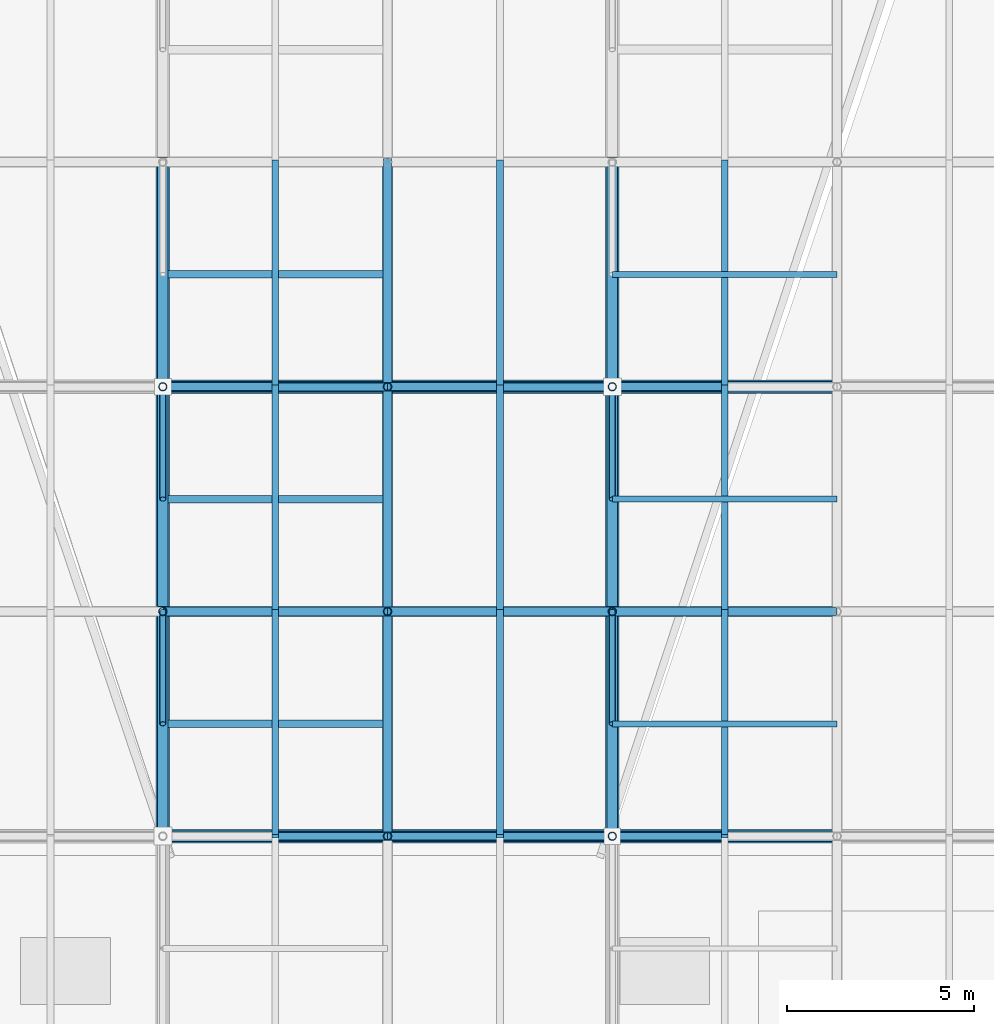
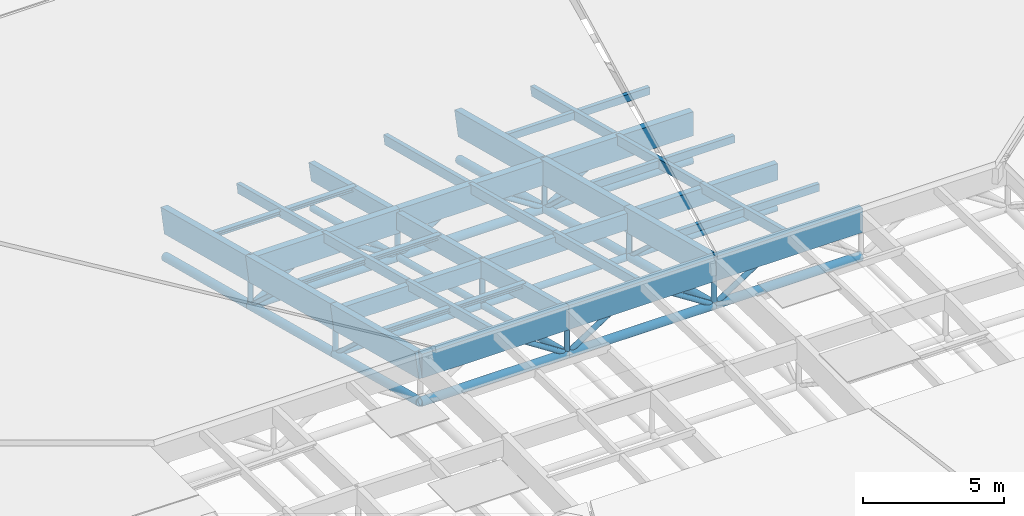
# One storey, part 23 of 80: 72 members.
"""IFC4 building model written with IfcOpenShell, lengths in metres."""

from ifc_helpers import new_model, si_unit, direction, frame, origin, origin_2d, place, context, subcontext, project, spatial, rectangle, hollow_circle, i_section, extrude, material, material_profile, profile_set, type_object, element, save


model = new_model("IFC4")

# Units and contexts
model_context = context("Model", 3, precision=1e-05, world=origin(), true_north=direction((0.0, 1.0)))
body_context = subcontext(model_context, "Body", "Model", "MODEL_VIEW")
ifc_project = project(units=[si_unit("LENGTHUNIT", "METRE"), si_unit("AREAUNIT", "SQUARE_METRE"), si_unit("VOLUMEUNIT", "CUBIC_METRE"), si_unit("PLANEANGLEUNIT", "RADIAN"), si_unit("MASSUNIT", "GRAM", prefix="KILO"), si_unit("THERMODYNAMICTEMPERATUREUNIT", "KELVIN"), si_unit("POWERUNIT", "WATT")], contexts=[model_context])

# Site, building, storey
site_placement = place(None, origin())
site = spatial("IfcSite", under=ifc_project, at=site_placement, CompositionType="ELEMENT")
building_placement = place(site_placement, origin())
building = spatial("IfcBuilding", under=site, at=building_placement, Name="Solmara Park Aquatics Centre", CompositionType="ELEMENT")
storey_placement = place(building_placement, frame((0.0, 0.0, 22.800048828125)))
storey = spatial("IfcBuildingStorey", under=building, at=storey_placement, Name="RF", CompositionType="ELEMENT", Elevation=22.800048828125)

# Members
ifc_material_1 = material(Name="Structural Steel S355", Category="steel")
ifc_material_profile_1 = material_profile(ifc_material_1, hollow_circle(Radius=0.084228515625, WallThickness=0.008056640625, at=origin_2d()), Name="CHS 168.3x8")
ifc_profile_set_1 = profile_set([ifc_material_profile_1], Name="Structural Steel S355")
member_type_1 = type_object("IfcMemberType", Name="STR-BRC-CHS168", PredefinedType="BRACE", material=ifc_profile_set_1)
for number, where, z_axis, x_axis, name in (
    (1, (48.60009765625, 54.60009765625, -6.486328125), (0.0, -0.736437262703, 0.67650584484), (1.0, 0.0, 0.0), "Roof Truss Web Diagonal Y 2051"),
    (2, (60.60009765625, 54.60009765625, -6.486328125), (0.0, -0.736437262703, 0.67650584484), (1.0, 0.0, 0.0), "Roof Truss Web Diagonal Y 2052"),
    (3, (48.60009765625, 60.60009765625, -8.0380859375), (0.0, -0.736437262703, 0.67650584484), (1.0, 0.0, 0.0), "Roof Truss Web Diagonal Y 2076"),
    (4, (60.60009765625, 60.60009765625, -8.0380859375), (0.0, -0.736437262703, 0.67650584484), (1.0, 0.0, 0.0), "Roof Truss Web Diagonal Y 2077"),
):
    element("IfcMember", number, at=place(storey_placement, frame(where, z_axis=z_axis, x_axis=x_axis)), inside=storey, type_object=member_type_1, Name=name, PredefinedType="BRACE", context=body_context, shape_type="SweptSolid", body=[
        extrude(hollow_circle(Radius=0.084228515625, WallThickness=0.008056640625, at=origin_2d()), origin(), (0.0, 0.0, 1.0), 4.07373046875),
    ])
ifc_material_profile_2 = material_profile(ifc_material_1, hollow_circle(Radius=0.109619140625, WallThickness=0.010009765625, at=origin_2d()), Name="CHS 219.1x10")
ifc_profile_set_2 = profile_set([ifc_material_profile_2], Name="Structural Steel S355")
member_type_2 = type_object("IfcMemberType", Name="STR-BRC-CHS219", PredefinedType="BRACE", material=ifc_profile_set_2)
for number, where, z_axis, x_axis, name in (
    (5, (54.60009765625, 48.60009765625, -4.9345703125), (-0.83972779743, 0.0, 0.543007574738), (0.0, -1.0, 0.0), "Roof Truss Web Diagonal X 1586"),
    (6, (48.60009765625, 60.60009765625, -8.0380859375), (0.83972779743, 0.0, 0.543007574738), (0.0, 1.0, 0.0), "Roof Truss Web Diagonal X 1587"),
    (7, (54.60009765625, 60.60009765625, -8.0380859375), (-0.83972779743, 0.0, 0.543007574738), (0.0, -1.0, 0.0), "Roof Truss Web Diagonal X 1588"),
    (8, (54.60009765625, 48.60009765625, -4.9345703125), (0.83972779743, 0.0, 0.543007574738), (0.0, 1.0, 0.0), "Roof Truss Web Diagonal X 1615"),
    (9, (60.60009765625, 48.60009765625, -4.9345703125), (-0.83972779743, 0.0, 0.543007574738), (0.0, -1.0, 0.0), "Roof Truss Web Diagonal X 1616"),
    (10, (54.60009765625, 60.60009765625, -8.0380859375), (0.83972779743, 0.0, 0.543007574738), (0.0, 1.0, 0.0), "Roof Truss Web Diagonal X 1617"),
    (11, (60.60009765625, 60.60009765625, -8.0380859375), (-0.83972779743, 0.0, 0.543007574738), (0.0, -1.0, 0.0), "Roof Truss Web Diagonal X 1618"),
    (12, (60.60009765625, 48.60009765625, -4.9345703125), (0.83972779743, 0.0, 0.543007574738), (0.0, 1.0, 0.0), "Roof Truss Web Diagonal X 1645"),
    (13, (60.60009765625, 60.60009765625, -8.0380859375), (0.83972779743, 0.0, 0.543007574738), (0.0, 1.0, 0.0), "Roof Truss Web Diagonal X 1647"),
):
    element("IfcMember", number, at=place(storey_placement, frame(where, z_axis=z_axis, x_axis=x_axis)), inside=storey, type_object=member_type_2, Name=name, PredefinedType="BRACE", context=body_context, shape_type="SweptSolid", body=[
        extrude(hollow_circle(Radius=0.109619140625, WallThickness=0.010009765625, at=origin_2d()), origin(), (0.0, 0.0, 1.0), 3.572509765625),
    ])
ifc_material_profile_3 = material_profile(ifc_material_1, hollow_circle(Radius=0.136474609375, WallThickness=0.012451171875, at=origin_2d()), Name="CHS 273x12.5")
ifc_profile_set_3 = profile_set([ifc_material_profile_3], Name="Structural Steel S355")
member_type_3 = type_object("IfcMemberType", Name="STR-CHD-CHS273", PredefinedType="CHORD", material=ifc_profile_set_3)
for number, where, z_axis, x_axis, name in (
    (14, (48.60009765625, 54.60009765625, -6.486328125), (1.0, 0.0, 0.0), (0.0, 1.0, 0.0), "Steel Roof Truss Bottom Chord X 0342"),
    (15, (54.60009765625, 54.60009765625, -6.486328125), (1.0, 0.0, 0.0), (0.0, 1.0, 0.0), "Steel Roof Truss Bottom Chord X 0344"),
    (16, (60.60009765625, 54.60009765625, -6.486328125), (1.0, 0.0, 0.0), (0.0, 1.0, 0.0), "Steel Roof Truss Bottom Chord X 0346"),
):
    element("IfcMember", number, at=place(storey_placement, frame(where, z_axis=z_axis, x_axis=x_axis)), inside=storey, type_object=member_type_3, Name=name, PredefinedType="CHORD", context=body_context, shape_type="SweptSolid", body=[
        extrude(hollow_circle(Radius=0.136474609375, WallThickness=0.012451171875, at=origin_2d()), origin(), (0.0, 0.0, 1.0), 6.0),
    ])
for number, where, z_axis, x_axis, name in (
    (17, (54.60009765625, 48.60009765625, -4.9345703125), (0.0, 0.968145594442, -0.250387914969), (-1.0, 0.0, 0.0), "Steel Roof Truss Bottom Chord Y 0810"),
    (18, (54.60009765625, 54.60009765625, -6.486328125), (0.0, 0.968145594442, -0.250387914969), (-1.0, 0.0, 0.0), "Steel Roof Truss Bottom Chord Y 0812"),
    (19, (54.60009765625, 60.60009765625, -8.0380859375), (0.0, 0.968145594442, -0.250387914969), (-1.0, 0.0, 0.0), "Steel Roof Truss Bottom Chord Y 0814"),
):
    element("IfcMember", number, at=place(storey_placement, frame(where, z_axis=z_axis, x_axis=x_axis)), inside=storey, type_object=member_type_3, Name=name, PredefinedType="CHORD", context=body_context, shape_type="SweptSolid", body=[
        extrude(hollow_circle(Radius=0.136474609375, WallThickness=0.012451171875, at=origin_2d()), origin(), (0.0, 0.0, 1.0), 6.197509765625),
    ])
ifc_material_profile_4 = material_profile(ifc_material_1, hollow_circle(Radius=0.177734375, WallThickness=0.01611328125, at=origin_2d()), Name="CHS 355.6x16")
ifc_profile_set_4 = profile_set([ifc_material_profile_4], Name="Structural Steel S355")
member_type_4 = type_object("IfcMemberType", Name="STR-CHD-CHS355", PredefinedType="CHORD", material=ifc_profile_set_4)
for number, where, z_axis, x_axis, name in (
    (20, (48.60009765625, 48.60009765625, -4.9345703125), (1.0, 0.0, 0.0), (0.0, 1.0, 0.0), "Steel Roof Truss Bottom Chord X 0306"),
    (21, (54.60009765625, 48.60009765625, -4.9345703125), (1.0, 0.0, 0.0), (0.0, 1.0, 0.0), "Steel Roof Truss Bottom Chord X 0308"),
    (22, (60.60009765625, 48.60009765625, -4.9345703125), (1.0, 0.0, 0.0), (0.0, 1.0, 0.0), "Steel Roof Truss Bottom Chord X 0310"),
    (23, (48.60009765625, 60.60009765625, -8.0380859375), (1.0, 0.0, 0.0), (0.0, 1.0, 0.0), "Steel Roof Truss Bottom Chord X 0378"),
    (24, (54.60009765625, 60.60009765625, -8.0380859375), (1.0, 0.0, 0.0), (0.0, 1.0, 0.0), "Steel Roof Truss Bottom Chord X 0380"),
    (25, (60.60009765625, 60.60009765625, -8.0380859375), (1.0, 0.0, 0.0), (0.0, 1.0, 0.0), "Steel Roof Truss Bottom Chord X 0382"),
):
    element("IfcMember", number, at=place(storey_placement, frame(where, z_axis=z_axis, x_axis=x_axis)), inside=storey, type_object=member_type_4, Name=name, PredefinedType="CHORD", context=body_context, shape_type="SweptSolid", body=[
        extrude(hollow_circle(Radius=0.177734375, WallThickness=0.01611328125, at=origin_2d()), origin(), (0.0, 0.0, 1.0), 6.0),
    ])
for number, where, z_axis, x_axis, name in (
    (26, (48.60009765625, 48.60009765625, -4.9345703125), (0.0, 0.968145594442, -0.250387914969), (-1.0, 0.0, 0.0), "Steel Roof Truss Bottom Chord Y 0782"),
    (27, (48.60009765625, 54.60009765625, -6.486328125), (0.0, 0.968145594442, -0.250387914969), (-1.0, 0.0, 0.0), "Steel Roof Truss Bottom Chord Y 0784"),
    (28, (48.60009765625, 60.60009765625, -8.0380859375), (0.0, 0.968145594442, -0.250387914969), (-1.0, 0.0, 0.0), "Steel Roof Truss Bottom Chord Y 0786"),
    (29, (60.60009765625, 48.60009765625, -4.9345703125), (0.0, 0.968145594442, -0.250387914969), (-1.0, 0.0, 0.0), "Steel Roof Truss Bottom Chord Y 0838"),
    (30, (60.60009765625, 54.60009765625, -6.486328125), (0.0, 0.968145594442, -0.250387914969), (-1.0, 0.0, 0.0), "Steel Roof Truss Bottom Chord Y 0840"),
    (31, (60.60009765625, 60.60009765625, -8.0380859375), (0.0, 0.968145594442, -0.250387914969), (-1.0, 0.0, 0.0), "Steel Roof Truss Bottom Chord Y 0842"),
):
    element("IfcMember", number, at=place(storey_placement, frame(where, z_axis=z_axis, x_axis=x_axis)), inside=storey, type_object=member_type_4, Name=name, PredefinedType="CHORD", context=body_context, shape_type="SweptSolid", body=[
        extrude(hollow_circle(Radius=0.177734375, WallThickness=0.01611328125, at=origin_2d()), origin(), (0.0, 0.0, 1.0), 6.197509765625),
    ])
ifc_material_2 = material(Name="Glulam Timber GL28h", Category="wood")
ifc_material_profile_5 = material_profile(ifc_material_2, rectangle(XDim=0.239990234375, YDim=0.719970703125, at=origin_2d()), Name="GL28h 240x720")
ifc_profile_set_5 = profile_set([ifc_material_profile_5], Name="Glulam Timber GL28h")
member_type_5 = type_object("IfcMemberType", Name="STR-CHD-GL240x720", PredefinedType="CHORD", material=ifc_profile_set_5)
for number, where, z_axis, x_axis, name in (
    (32, (48.60009765625, 54.60009765625, -4.866455078125), (1.0, 0.0, 0.0), (0.0, 1.0, 0.0), "Glulam Roof Truss Top Chord X 0341"),
    (33, (54.60009765625, 54.60009765625, -4.866455078125), (1.0, 0.0, 0.0), (0.0, 1.0, 0.0), "Glulam Roof Truss Top Chord X 0343"),
    (34, (60.60009765625, 54.60009765625, -4.866455078125), (1.0, 0.0, 0.0), (0.0, 1.0, 0.0), "Glulam Roof Truss Top Chord X 0345"),
):
    element("IfcMember", number, at=place(storey_placement, frame(where, z_axis=z_axis, x_axis=x_axis)), inside=storey, type_object=member_type_5, Name=name, PredefinedType="CHORD", context=body_context, shape_type="SweptSolid", body=[
        extrude(rectangle(XDim=0.239990234375, YDim=0.719970703125, at=origin_2d()), origin(), (0.0, 0.0, 1.0), 6.0),
    ])
member_1_placement = place(storey_placement, frame((54.60009765625, 48.60009765625, -3.314697265625), z_axis=(0.0, 0.968145594442, -0.250387914969), x_axis=(-1.0, 0.0, 0.0)))
element("IfcMember", 35, at=member_1_placement, inside=storey, type_object=member_type_5, Name="Glulam Roof Truss Top Chord Y 0809", PredefinedType="CHORD", context=body_context, shape_type="SweptSolid", body=[
    extrude(rectangle(XDim=0.239990234375, YDim=0.719970703125, at=origin_2d()), origin(), (0.0, 0.0, 1.0), 6.197509765625),
])
member_2_placement = place(storey_placement, frame((54.60009765625, 54.60009765625, -4.866455078125), z_axis=(0.0, 0.968155143395, -0.250350990246), x_axis=(-1.0, 0.0, 0.0)))
element("IfcMember", 36, at=member_2_placement, inside=storey, type_object=member_type_5, Name="Glulam Roof Truss Top Chord Y 0811", PredefinedType="CHORD", context=body_context, shape_type="SweptSolid", body=[
    extrude(rectangle(XDim=0.239990234375, YDim=0.719970703125, at=origin_2d()), origin(), (0.0, 0.0, 1.0), 6.197265625),
])
member_3_placement = place(storey_placement, frame((54.60009765625, 60.60009765625, -6.41796875), z_axis=(0.0, 0.968145594442, -0.250387914969), x_axis=(-1.0, 0.0, 0.0)))
element("IfcMember", 37, at=member_3_placement, inside=storey, type_object=member_type_5, Name="Glulam Roof Truss Top Chord Y 0813", PredefinedType="CHORD", context=body_context, shape_type="SweptSolid", body=[
    extrude(rectangle(XDim=0.239990234375, YDim=0.719970703125, at=origin_2d()), origin(), (0.0, 0.0, 1.0), 6.197509765625),
])
ifc_material_profile_6 = material_profile(ifc_material_2, rectangle(XDim=0.280029296875, YDim=1.0400390625, at=origin_2d()), Name="GL28h 280x1040")
ifc_profile_set_6 = profile_set([ifc_material_profile_6], Name="Glulam Timber GL28h")
member_type_6 = type_object("IfcMemberType", Name="STR-CHD-GL280x1040", PredefinedType="CHORD", material=ifc_profile_set_6)
for number, where, z_axis, x_axis, name in (
    (38, (48.60009765625, 48.60009765625, -3.314697265625), (1.0, 0.0, 0.0), (0.0, 1.0, 0.0), "Glulam Roof Truss Top Chord X 0305"),
    (39, (54.60009765625, 48.60009765625, -3.314697265625), (1.0, 0.0, 0.0), (0.0, 1.0, 0.0), "Glulam Roof Truss Top Chord X 0307"),
    (40, (60.60009765625, 48.60009765625, -3.314697265625), (1.0, 0.0, 0.0), (0.0, 1.0, 0.0), "Glulam Roof Truss Top Chord X 0309"),
    (41, (48.60009765625, 60.60009765625, -6.41796875), (1.0, 0.0, 0.0), (0.0, 1.0, 0.0), "Glulam Roof Truss Top Chord X 0377"),
    (42, (54.60009765625, 60.60009765625, -6.41796875), (1.0, 0.0, 0.0), (0.0, 1.0, 0.0), "Glulam Roof Truss Top Chord X 0379"),
    (43, (60.60009765625, 60.60009765625, -6.41796875), (1.0, 0.0, 0.0), (0.0, 1.0, 0.0), "Glulam Roof Truss Top Chord X 0381"),
):
    element("IfcMember", number, at=place(storey_placement, frame(where, z_axis=z_axis, x_axis=x_axis)), inside=storey, type_object=member_type_6, Name=name, PredefinedType="CHORD", context=body_context, shape_type="SweptSolid", body=[
        extrude(rectangle(XDim=0.280029296875, YDim=1.0400390625, at=origin_2d()), origin(), (0.0, 0.0, 1.0), 6.0),
    ])
member_4_placement = place(storey_placement, frame((48.60009765625, 48.60009765625, -3.314697265625), z_axis=(0.0, 0.968145594442, -0.250387914969), x_axis=(-1.0, 0.0, 0.0)))
element("IfcMember", 44, at=member_4_placement, inside=storey, type_object=member_type_6, Name="Glulam Roof Truss Top Chord Y 0781", PredefinedType="CHORD", context=body_context, shape_type="SweptSolid", body=[
    extrude(rectangle(XDim=0.280029296875, YDim=1.0400390625, at=origin_2d()), origin(), (0.0, 0.0, 1.0), 6.197509765625),
])
member_5_placement = place(storey_placement, frame((48.60009765625, 54.60009765625, -4.866455078125), z_axis=(0.0, 0.968155143395, -0.250350990246), x_axis=(-1.0, 0.0, 0.0)))
element("IfcMember", 45, at=member_5_placement, inside=storey, type_object=member_type_6, Name="Glulam Roof Truss Top Chord Y 0783", PredefinedType="CHORD", context=body_context, shape_type="SweptSolid", body=[
    extrude(rectangle(XDim=0.280029296875, YDim=1.0400390625, at=origin_2d()), origin(), (0.0, 0.0, 1.0), 6.197265625),
])
for number, where, z_axis, x_axis, name in (
    (46, (48.60009765625, 60.60009765625, -6.41796875), (0.0, 0.968145594442, -0.250387914969), (-1.0, 0.0, 0.0), "Glulam Roof Truss Top Chord Y 0785"),
    (47, (60.60009765625, 48.60009765625, -3.314697265625), (0.0, 0.968145594442, -0.250387914969), (-1.0, 0.0, 0.0), "Glulam Roof Truss Top Chord Y 0837"),
):
    element("IfcMember", number, at=place(storey_placement, frame(where, z_axis=z_axis, x_axis=x_axis)), inside=storey, type_object=member_type_6, Name=name, PredefinedType="CHORD", context=body_context, shape_type="SweptSolid", body=[
        extrude(rectangle(XDim=0.280029296875, YDim=1.0400390625, at=origin_2d()), origin(), (0.0, 0.0, 1.0), 6.197509765625),
    ])
member_6_placement = place(storey_placement, frame((60.60009765625, 54.60009765625, -4.866455078125), z_axis=(0.0, 0.968155143395, -0.250350990246), x_axis=(-1.0, 0.0, 0.0)))
element("IfcMember", 48, at=member_6_placement, inside=storey, type_object=member_type_6, Name="Glulam Roof Truss Top Chord Y 0839", PredefinedType="CHORD", context=body_context, shape_type="SweptSolid", body=[
    extrude(rectangle(XDim=0.280029296875, YDim=1.0400390625, at=origin_2d()), origin(), (0.0, 0.0, 1.0), 6.197265625),
])
member_7_placement = place(storey_placement, frame((60.60009765625, 60.60009765625, -6.41796875), z_axis=(0.0, 0.968145594442, -0.250387914969), x_axis=(-1.0, 0.0, 0.0)))
element("IfcMember", 49, at=member_7_placement, inside=storey, type_object=member_type_6, Name="Glulam Roof Truss Top Chord Y 0841", PredefinedType="CHORD", context=body_context, shape_type="SweptSolid", body=[
    extrude(rectangle(XDim=0.280029296875, YDim=1.0400390625, at=origin_2d()), origin(), (0.0, 0.0, 1.0), 6.197509765625),
])
ifc_material_profile_7 = material_profile(ifc_material_2, rectangle(XDim=0.159912109375, YDim=0.320068359375, at=origin_2d()), Name="GL28h 160x320")
ifc_profile_set_7 = profile_set([ifc_material_profile_7], Name="Glulam Timber GL28h")
member_type_7 = type_object("IfcMemberType", Name="STR-PRL-GL160x320", PredefinedType="PURLIN", material=ifc_profile_set_7)
for number, where, z_axis, x_axis, name in (
    (50, (60.60009765625, 51.60009765625, -3.75048828125), (1.0, 0.0, 0.0), (0.0, 1.0, 0.0), "Glulam Secondary Roof Purlin 2040"),
    (51, (60.60009765625, 57.60009765625, -5.30224609375), (1.0, 0.0, 0.0), (0.0, 1.0, 0.0), "Glulam Secondary Roof Purlin 2065"),
    (52, (60.60009765625, 63.60009765625, -6.85400390625), (1.0, 0.0, 0.0), (0.0, 1.0, 0.0), "Glulam Secondary Roof Purlin 2090"),
):
    element("IfcMember", number, at=place(storey_placement, frame(where, z_axis=z_axis, x_axis=x_axis)), inside=storey, type_object=member_type_7, Name=name, PredefinedType="PURLIN", context=body_context, shape_type="SweptSolid", body=[
        extrude(rectangle(XDim=0.159912109375, YDim=0.320068359375, at=origin_2d()), origin(), (0.0, 0.0, 1.0), 6.0),
    ])
ifc_material_profile_8 = material_profile(ifc_material_2, rectangle(XDim=0.179931640625, YDim=0.39990234375, at=origin_2d()), Name="GL28h 180x400")
ifc_profile_set_8 = profile_set([ifc_material_profile_8], Name="Glulam Timber GL28h")
member_type_8 = type_object("IfcMemberType", Name="STR-PRL-GL180x400", PredefinedType="PURLIN", material=ifc_profile_set_8)
for number, where, z_axis, x_axis, name in (
    (53, (51.60009765625, 48.60009765625, -2.99462890625), (0.0, 0.968145594442, -0.250387914969), (-1.0, 0.0, 0.0), "Glulam Roof Purlin 1571"),
    (54, (51.60009765625, 54.60009765625, -4.54638671875), (0.0, 0.968145594442, -0.250387914969), (-1.0, 0.0, 0.0), "Glulam Roof Purlin 1572"),
):
    element("IfcMember", number, at=place(storey_placement, frame(where, z_axis=z_axis, x_axis=x_axis)), inside=storey, type_object=member_type_8, Name=name, PredefinedType="PURLIN", context=body_context, shape_type="SweptSolid", body=[
        extrude(rectangle(XDim=0.179931640625, YDim=0.39990234375, at=origin_2d()), origin(), (0.0, 0.0, 1.0), 6.197509765625),
    ])
member_8_placement = place(storey_placement, frame((51.60009765625, 60.60009765625, -6.09814453125), z_axis=(0.0, 0.968155143395, -0.250350990246), x_axis=(-1.0, 0.0, 0.0)))
element("IfcMember", 55, at=member_8_placement, inside=storey, type_object=member_type_8, Name="Glulam Roof Purlin 1573", PredefinedType="PURLIN", context=body_context, shape_type="SweptSolid", body=[
    extrude(rectangle(XDim=0.179931640625, YDim=0.39990234375, at=origin_2d()), origin(), (0.0, 0.0, 1.0), 6.197265625),
])
for number, where, z_axis, x_axis, name in (
    (56, (57.60009765625, 48.60009765625, -2.99462890625), (0.0, 0.968145594442, -0.250387914969), (-1.0, 0.0, 0.0), "Glulam Roof Purlin 1601"),
    (57, (57.60009765625, 54.60009765625, -4.54638671875), (0.0, 0.968145594442, -0.250387914969), (-1.0, 0.0, 0.0), "Glulam Roof Purlin 1602"),
):
    element("IfcMember", number, at=place(storey_placement, frame(where, z_axis=z_axis, x_axis=x_axis)), inside=storey, type_object=member_type_8, Name=name, PredefinedType="PURLIN", context=body_context, shape_type="SweptSolid", body=[
        extrude(rectangle(XDim=0.179931640625, YDim=0.39990234375, at=origin_2d()), origin(), (0.0, 0.0, 1.0), 6.197509765625),
    ])
member_9_placement = place(storey_placement, frame((57.60009765625, 60.60009765625, -6.09814453125), z_axis=(0.0, 0.968155143395, -0.250350990246), x_axis=(-1.0, 0.0, 0.0)))
element("IfcMember", 58, at=member_9_placement, inside=storey, type_object=member_type_8, Name="Glulam Roof Purlin 1603", PredefinedType="PURLIN", context=body_context, shape_type="SweptSolid", body=[
    extrude(rectangle(XDim=0.179931640625, YDim=0.39990234375, at=origin_2d()), origin(), (0.0, 0.0, 1.0), 6.197265625),
])
for number, where, z_axis, x_axis, name in (
    (59, (63.60009765625, 48.60009765625, -2.99462890625), (0.0, 0.968145594442, -0.250387914969), (-1.0, 0.0, 0.0), "Glulam Roof Purlin 1631"),
    (60, (63.60009765625, 54.60009765625, -4.54638671875), (0.0, 0.968145594442, -0.250387914969), (-1.0, 0.0, 0.0), "Glulam Roof Purlin 1632"),
):
    element("IfcMember", number, at=place(storey_placement, frame(where, z_axis=z_axis, x_axis=x_axis)), inside=storey, type_object=member_type_8, Name=name, PredefinedType="PURLIN", context=body_context, shape_type="SweptSolid", body=[
        extrude(rectangle(XDim=0.179931640625, YDim=0.39990234375, at=origin_2d()), origin(), (0.0, 0.0, 1.0), 6.197509765625),
    ])
member_10_placement = place(storey_placement, frame((63.60009765625, 60.60009765625, -6.09814453125), z_axis=(0.0, 0.968155143395, -0.250350990246), x_axis=(-1.0, 0.0, 0.0)))
element("IfcMember", 61, at=member_10_placement, inside=storey, type_object=member_type_8, Name="Glulam Roof Purlin 1633", PredefinedType="PURLIN", context=body_context, shape_type="SweptSolid", body=[
    extrude(rectangle(XDim=0.179931640625, YDim=0.39990234375, at=origin_2d()), origin(), (0.0, 0.0, 1.0), 6.197265625),
])
ifc_material_profile_9 = material_profile(ifc_material_1, i_section(OverallWidth=0.199951171875, OverallDepth=0.18994140625, WebThickness=0.006591796875, FlangeThickness=0.010009765625, FilletRadius=0.01806640625, at=origin_2d()), Name="HEA 200")
ifc_profile_set_9 = profile_set([ifc_material_profile_9], Name="Structural Steel S355")
member_type_9 = type_object("IfcMemberType", Name="STR-PRL-HEA200", PredefinedType="PURLIN", material=ifc_profile_set_9)
for number, where, z_axis, x_axis, name in (
    (62, (48.60009765625, 51.60009765625, -3.75048828125), (1.0, 0.0, 0.0), (0.0, 1.0, 0.0), "Glulam Secondary Roof Purlin 2039"),
    (63, (48.60009765625, 57.60009765625, -5.30224609375), (1.0, 0.0, 0.0), (0.0, 1.0, 0.0), "Glulam Secondary Roof Purlin 2064"),
    (64, (48.60009765625, 63.60009765625, -6.85400390625), (1.0, 0.0, 0.0), (0.0, 1.0, 0.0), "Glulam Secondary Roof Purlin 2089"),
):
    element("IfcMember", number, at=place(storey_placement, frame(where, z_axis=z_axis, x_axis=x_axis)), inside=storey, type_object=member_type_9, Name=name, PredefinedType="PURLIN", context=body_context, shape_type="SweptSolid", body=[
        extrude(i_section(OverallWidth=0.199951171875, OverallDepth=0.18994140625, WebThickness=0.006591796875, FlangeThickness=0.010009765625, FilletRadius=0.01806640625, at=origin_2d()), origin(), (0.0, 0.0, 1.0), 6.0),
    ])
ifc_material_profile_10 = material_profile(ifc_material_1, hollow_circle(Radius=0.109619140625, WallThickness=0.010009765625, at=origin_2d()), Name="CHS 219.1x10")
ifc_profile_set_10 = profile_set([ifc_material_profile_10], Name="Structural Steel S355")
member_type_10 = type_object("IfcMemberType", Name="STR-PST-CHS219", PredefinedType="POST", material=ifc_profile_set_10)
member_11_placement = place(storey_placement, frame((48.60009765625, 54.60009765625, -6.486328125), z_axis=(0.0, 0.0, 1.0), x_axis=(1.0, 0.0, 0.0)))
element("IfcMember", 65, at=member_11_placement, inside=storey, type_object=member_type_10, Name="Roof Truss Web Post 1195", PredefinedType="POST", context=body_context, shape_type="SweptSolid", body=[
    extrude(hollow_circle(Radius=0.109619140625, WallThickness=0.010009765625, at=origin_2d()), origin(), (0.0, 0.0, 1.0), 1.619873046875),
])
member_12_placement = place(storey_placement, frame((48.60009765625, 60.60009765625, -8.0380859375), z_axis=(0.0, 0.0, 1.0), x_axis=(1.0, 0.0, 0.0)))
element("IfcMember", 66, at=member_12_placement, inside=storey, type_object=member_type_10, Name="Roof Truss Web Post 1196", PredefinedType="POST", context=body_context, shape_type="SweptSolid", body=[
    extrude(hollow_circle(Radius=0.109619140625, WallThickness=0.010009765625, at=origin_2d()), origin(), (0.0, 0.0, 1.0), 1.6201171875),
])
for number, where, z_axis, x_axis, name in (
    (67, (54.60009765625, 48.60009765625, -4.9345703125), (0.0, 0.0, 1.0), (1.0, 0.0, 0.0), "Roof Truss Web Post 1209"),
    (68, (54.60009765625, 54.60009765625, -6.486328125), (0.0, 0.0, 1.0), (1.0, 0.0, 0.0), "Roof Truss Web Post 1210"),
):
    element("IfcMember", number, at=place(storey_placement, frame(where, z_axis=z_axis, x_axis=x_axis)), inside=storey, type_object=member_type_10, Name=name, PredefinedType="POST", context=body_context, shape_type="SweptSolid", body=[
        extrude(hollow_circle(Radius=0.109619140625, WallThickness=0.010009765625, at=origin_2d()), origin(), (0.0, 0.0, 1.0), 1.619873046875),
    ])
member_13_placement = place(storey_placement, frame((54.60009765625, 60.60009765625, -8.0380859375), z_axis=(0.0, 0.0, 1.0), x_axis=(1.0, 0.0, 0.0)))
element("IfcMember", 69, at=member_13_placement, inside=storey, type_object=member_type_10, Name="Roof Truss Web Post 1211", PredefinedType="POST", context=body_context, shape_type="SweptSolid", body=[
    extrude(hollow_circle(Radius=0.109619140625, WallThickness=0.010009765625, at=origin_2d()), origin(), (0.0, 0.0, 1.0), 1.6201171875),
])
for number, where, z_axis, x_axis, name in (
    (70, (60.60009765625, 48.60009765625, -4.9345703125), (0.0, 0.0, 1.0), (1.0, 0.0, 0.0), "Roof Truss Web Post 1224"),
    (71, (60.60009765625, 54.60009765625, -6.486328125), (0.0, 0.0, 1.0), (1.0, 0.0, 0.0), "Roof Truss Web Post 1225"),
):
    element("IfcMember", number, at=place(storey_placement, frame(where, z_axis=z_axis, x_axis=x_axis)), inside=storey, type_object=member_type_10, Name=name, PredefinedType="POST", context=body_context, shape_type="SweptSolid", body=[
        extrude(hollow_circle(Radius=0.109619140625, WallThickness=0.010009765625, at=origin_2d()), origin(), (0.0, 0.0, 1.0), 1.619873046875),
    ])
member_14_placement = place(storey_placement, frame((60.60009765625, 60.60009765625, -8.0380859375), z_axis=(0.0, 0.0, 1.0), x_axis=(1.0, 0.0, 0.0)))
element("IfcMember", 72, at=member_14_placement, inside=storey, type_object=member_type_10, Name="Roof Truss Web Post 1226", PredefinedType="POST", context=body_context, shape_type="SweptSolid", body=[
    extrude(hollow_circle(Radius=0.109619140625, WallThickness=0.010009765625, at=origin_2d()), origin(), (0.0, 0.0, 1.0), 1.6201171875),
])

save(model, "model.ifc")
